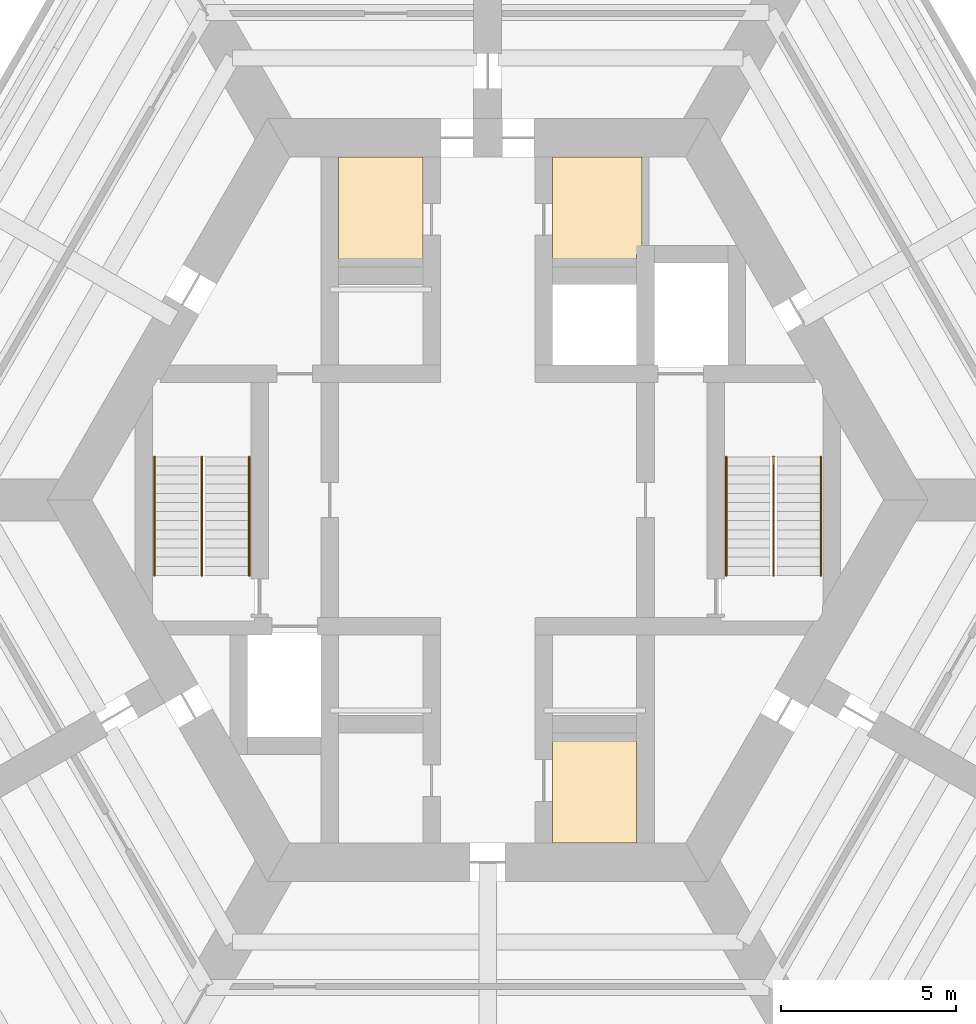
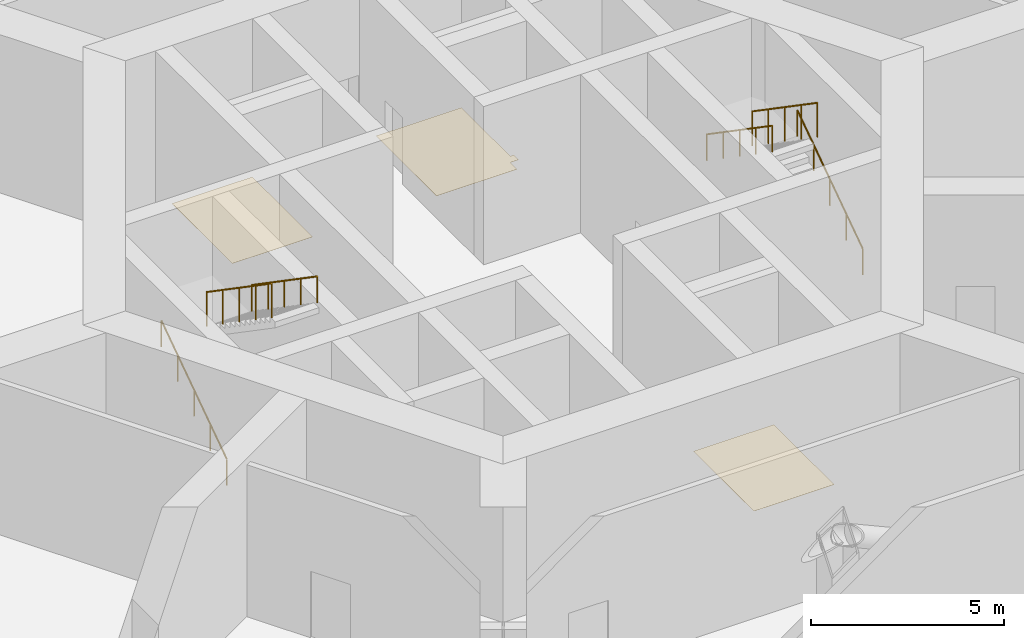
# One storey, part 8 of 8: 6 railings, 3 coverings.
"""IFC4 building model written with IfcOpenShell, lengths in metres."""

from ifc_helpers import new_model, si_unit, direction, frame, origin, origin_2d, place, context, subcontext, project, spatial, polyline, circle, outline, extrude, material, layer, layer_set, type_object, element, save


model = new_model("IFC4")

# Units and contexts
model_context = context("Model", 3, precision=1e-05, world=origin(), true_north=direction((0.0, 1.0)))
body_context = subcontext(model_context, "Body", "Model", "MODEL_VIEW")
ifc_project = project(units=[si_unit("LENGTHUNIT", "METRE"), si_unit("AREAUNIT", "SQUARE_METRE"), si_unit("VOLUMEUNIT", "CUBIC_METRE"), si_unit("PLANEANGLEUNIT", "RADIAN"), si_unit("MASSUNIT", "GRAM", prefix="KILO")], contexts=[model_context])

# Site, building, storey
site_placement = place(None, origin())
site = spatial("IfcSite", under=ifc_project, at=site_placement, CompositionType="ELEMENT")
building_placement = place(site_placement, origin())
building = spatial("IfcBuilding", under=site, at=building_placement, Name="Kasaneha Research Tower", CompositionType="ELEMENT")
storey_placement = place(building_placement, frame((0.0, 0.0, 123.60009765625)))
storey = spatial("IfcBuildingStorey", under=building, at=storey_placement, Name="L31", CompositionType="ELEMENT", Elevation=123.60009765625)

# Railings
ifc_material_1 = material(Name="Steel", Category="steel")
railing_type_1 = type_object("IfcRailingType", Name="Stair balustrade 1100", PredefinedType="GUARDRAIL", material=ifc_material_1)
for number, where, name in (
    (1, (8.14990234375, 1.22998046875, 2.678466796875), "Stair 1 balustrade L31"),
    (2, (-8.14990234375, 1.22998046875, 2.678466796875), "Stair 2 balustrade L31"),
):
    element("IfcRailing", number, at=place(storey_placement, frame(where)), inside=storey, type_object=railing_type_1, Name=name, PredefinedType="GUARDRAIL", context=body_context, shape_type="SweptSolid", body=[
        extrude(circle(Radius=0.02392578125, at=origin_2d()), frame((0.0, 0.0, 1.076171875), z_axis=(0.0, -0.824285065979, 0.566174999451), x_axis=(1.0, 0.0, 0.0)), (0.0, 0.0, 1.0), 4.100341796875),
        extrude(circle(Radius=0.02099609375, at=origin_2d()), origin(), (0.0, 0.0, 1.0), 1.052001953125),
        extrude(circle(Radius=0.02099609375, at=origin_2d()), frame((0.0, -0.844970703125, 0.580322265625)), (0.0, 0.0, 1.0), 1.052001953125),
        extrude(circle(Radius=0.02099609375, at=origin_2d()), frame((0.0, -1.68994140625, 1.16064453125)), (0.0, 0.0, 1.0), 1.052001953125),
        extrude(circle(Radius=0.02099609375, at=origin_2d()), frame((0.0, -2.534912109375, 1.7412109375)), (0.0, 0.0, 1.0), 1.052001953125),
        extrude(circle(Radius=0.02099609375, at=origin_2d()), frame((0.0, -3.3798828125, 2.321533203125)), (0.0, 0.0, 1.0), 1.052001953125),
    ])
ifc_material_2 = material(Name="Steel", Category="steel")
railing_type_2 = type_object("IfcRailingType", Name="Stair handrail 850", PredefinedType="HANDRAIL", material=ifc_material_2)
railing_1_placement = place(storey_placement, frame((9.5, -2.14990234375, 0.178466796875)))
element("IfcRailing", 3, at=railing_1_placement, inside=storey, type_object=railing_type_2, Name="Stair 1 handrail L31", PredefinedType="HANDRAIL", context=body_context, shape_type="SweptSolid", body=[
    extrude(circle(Radius=0.02392578125, at=origin_2d()), frame((0.0, 0.0, 0.826171875), z_axis=(0.0, 0.824285065979, 0.566174999451), x_axis=(-1.0, 0.0, 0.0)), (0.0, 0.0, 1.0), 4.100341796875),
    extrude(circle(Radius=0.02099609375, at=origin_2d()), origin(), (0.0, 0.0, 1.0), 0.802001953125),
    extrude(circle(Radius=0.02099609375, at=origin_2d()), frame((0.0, 0.844970703125, 0.580322265625)), (0.0, 0.0, 1.0), 0.802001953125),
    extrude(circle(Radius=0.02099609375, at=origin_2d()), frame((0.0, 1.68994140625, 1.16064453125)), (0.0, 0.0, 1.0), 0.802001953125),
    extrude(circle(Radius=0.02099609375, at=origin_2d()), frame((0.0, 2.534912109375, 1.7412109375)), (0.0, 0.0, 1.0), 0.802001953125),
    extrude(circle(Radius=0.02099609375, at=origin_2d()), frame((0.0, 3.3798828125, 2.321533203125)), (0.0, 0.0, 1.0), 0.802001953125),
])
railing_2_placement = place(storey_placement, frame((6.800048828125, 1.22998046875, 2.678466796875)))
element("IfcRailing", 4, at=railing_2_placement, inside=storey, type_object=railing_type_2, Name="Stair 1 handrail L31", PredefinedType="HANDRAIL", context=body_context, shape_type="SweptSolid", body=[
    extrude(circle(Radius=0.02392578125, at=origin_2d()), frame((0.0, 0.0, 0.826171875), z_axis=(0.0, -0.824285065979, 0.566174999451), x_axis=(1.0, 0.0, 0.0)), (0.0, 0.0, 1.0), 4.100341796875),
    extrude(circle(Radius=0.02099609375, at=origin_2d()), origin(), (0.0, 0.0, 1.0), 0.802001953125),
    extrude(circle(Radius=0.02099609375, at=origin_2d()), frame((0.0, -0.844970703125, 0.580322265625)), (0.0, 0.0, 1.0), 0.802001953125),
    extrude(circle(Radius=0.02099609375, at=origin_2d()), frame((0.0, -1.68994140625, 1.16064453125)), (0.0, 0.0, 1.0), 0.802001953125),
    extrude(circle(Radius=0.02099609375, at=origin_2d()), frame((0.0, -2.534912109375, 1.7412109375)), (0.0, 0.0, 1.0), 0.802001953125),
    extrude(circle(Radius=0.02099609375, at=origin_2d()), frame((0.0, -3.3798828125, 2.321533203125)), (0.0, 0.0, 1.0), 0.802001953125),
])
railing_3_placement = place(storey_placement, frame((-9.5, -2.14990234375, 0.178466796875)))
element("IfcRailing", 5, at=railing_3_placement, inside=storey, type_object=railing_type_2, Name="Stair 2 handrail L31", PredefinedType="HANDRAIL", context=body_context, shape_type="SweptSolid", body=[
    extrude(circle(Radius=0.02392578125, at=origin_2d()), frame((0.0, 0.0, 0.826171875), z_axis=(0.0, 0.824285065979, 0.566174999451), x_axis=(-1.0, 0.0, 0.0)), (0.0, 0.0, 1.0), 4.100341796875),
    extrude(circle(Radius=0.02099609375, at=origin_2d()), origin(), (0.0, 0.0, 1.0), 0.802001953125),
    extrude(circle(Radius=0.02099609375, at=origin_2d()), frame((0.0, 0.844970703125, 0.580322265625)), (0.0, 0.0, 1.0), 0.802001953125),
    extrude(circle(Radius=0.02099609375, at=origin_2d()), frame((0.0, 1.68994140625, 1.16064453125)), (0.0, 0.0, 1.0), 0.802001953125),
    extrude(circle(Radius=0.02099609375, at=origin_2d()), frame((0.0, 2.534912109375, 1.7412109375)), (0.0, 0.0, 1.0), 0.802001953125),
    extrude(circle(Radius=0.02099609375, at=origin_2d()), frame((0.0, 3.3798828125, 2.321533203125)), (0.0, 0.0, 1.0), 0.802001953125),
])
railing_4_placement = place(storey_placement, frame((-6.800048828125, 1.22998046875, 2.678466796875)))
element("IfcRailing", 6, at=railing_4_placement, inside=storey, type_object=railing_type_2, Name="Stair 2 handrail L31", PredefinedType="HANDRAIL", context=body_context, shape_type="SweptSolid", body=[
    extrude(circle(Radius=0.02392578125, at=origin_2d()), frame((0.0, 0.0, 0.826171875), z_axis=(0.0, -0.824285065979, 0.566174999451), x_axis=(1.0, 0.0, 0.0)), (0.0, 0.0, 1.0), 4.100341796875),
    extrude(circle(Radius=0.02099609375, at=origin_2d()), origin(), (0.0, 0.0, 1.0), 0.802001953125),
    extrude(circle(Radius=0.02099609375, at=origin_2d()), frame((0.0, -0.844970703125, 0.580322265625)), (0.0, 0.0, 1.0), 0.802001953125),
    extrude(circle(Radius=0.02099609375, at=origin_2d()), frame((0.0, -1.68994140625, 1.16064453125)), (0.0, 0.0, 1.0), 0.802001953125),
    extrude(circle(Radius=0.02099609375, at=origin_2d()), frame((0.0, -2.534912109375, 1.7412109375)), (0.0, 0.0, 1.0), 0.802001953125),
    extrude(circle(Radius=0.02099609375, at=origin_2d()), frame((0.0, -3.3798828125, 2.321533203125)), (0.0, 0.0, 1.0), 0.802001953125),
])

# Coverings
ifc_material_3 = material(Name="Vinyl sheet flooring", Category="plastic")
ifc_layer = layer(ifc_material_3, 0.0048828125)
ifc_layer_set = layer_set([ifc_layer], Name="Wet room sheet flooring 5")
covering_type = type_object("IfcCoveringType", Name="Wet room sheet flooring 5", PredefinedType="FLOORING", material=ifc_layer_set)
covering_1_placement = place(storey_placement, origin())
element("IfcCovering", 7, at=covering_1_placement, inside=storey, type_object=covering_type, Name="Floor finish L31-06", PredefinedType="FLOORING", context=body_context, shape_type="SweptSolid", body=[
    extrude(outline(polyline([(-1.85009765625, 9.77490234375), (-1.85009765625, 6.64990234375), (-4.25, 6.64990234375), (-4.25, 9.77490234375), (-1.85009765625, 9.77490234375)])), origin(), (0.0, 0.0, 1.0), 0.0048828125),
])
covering_2_placement = place(storey_placement, origin())
element("IfcCovering", 8, at=covering_2_placement, inside=storey, type_object=covering_type, Name="Floor finish L31-07", PredefinedType="FLOORING", context=body_context, shape_type="SweptSolid", body=[
    extrude(outline(polyline([(4.39892578125, 9.77490234375), (4.39892578125, 7.25), (4.39892578125, 7.25), (4.39892578125, 7.249755859375), (4.39892578125, 7.249755859375), (4.399169921875, 7.24951171875), (4.399169921875, 7.24951171875), (4.399169921875, 7.24951171875), (4.399169921875, 7.249267578125), (4.399169921875, 7.249267578125), (4.3994140625, 7.249267578125), (4.3994140625, 7.249267578125), (4.3994140625, 7.2490234375), (4.399658203125, 7.2490234375), (4.399658203125, 7.2490234375), (4.39990234375, 7.2490234375), (4.39990234375, 7.2490234375), (4.39990234375, 7.2490234375), (4.5, 7.2490234375), (4.5, 7.0), (4.25, 7.0), (4.25, 6.64990234375), (1.85009765625, 6.64990234375), (1.85009765625, 9.77490234375), (4.39892578125, 9.77490234375)])), origin(), (0.0, 0.0, 1.0), 0.0048828125),
])
covering_3_placement = place(storey_placement, origin())
element("IfcCovering", 9, at=covering_3_placement, inside=storey, type_object=covering_type, Name="Floor finish L31-09", PredefinedType="FLOORING", context=body_context, shape_type="SweptSolid", body=[
    extrude(outline(polyline([(1.85009765625, -9.77490234375), (1.85009765625, -6.64990234375), (4.25, -6.64990234375), (4.25, -9.77490234375), (1.85009765625, -9.77490234375)])), origin(), (0.0, 0.0, 1.0), 0.0048828125),
])

save(model, "model.ifc")
